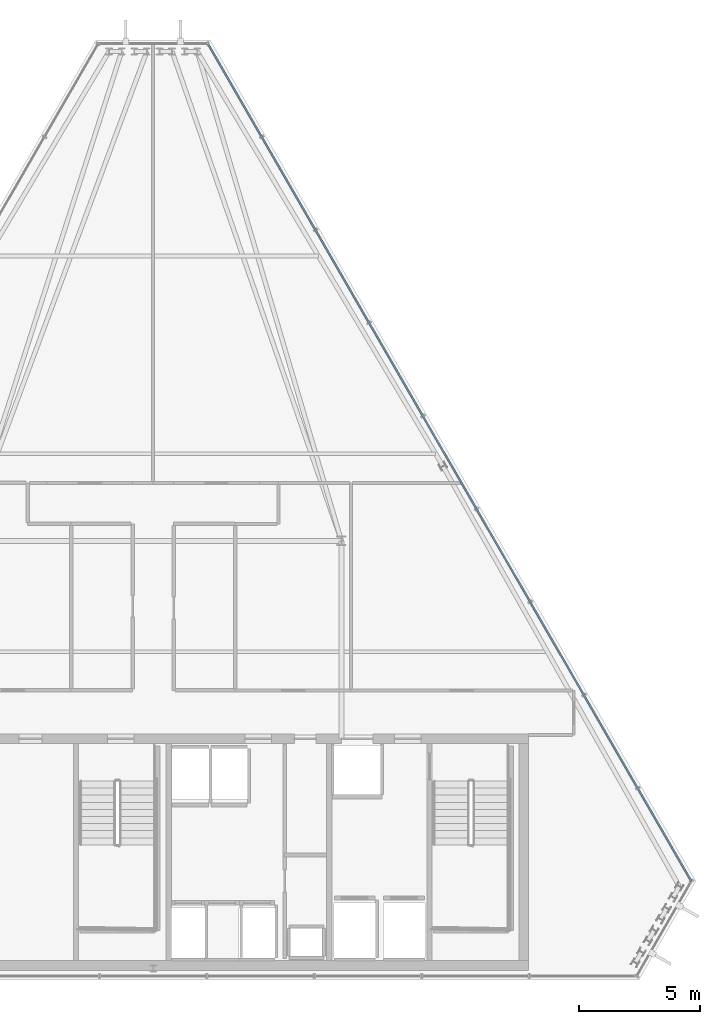
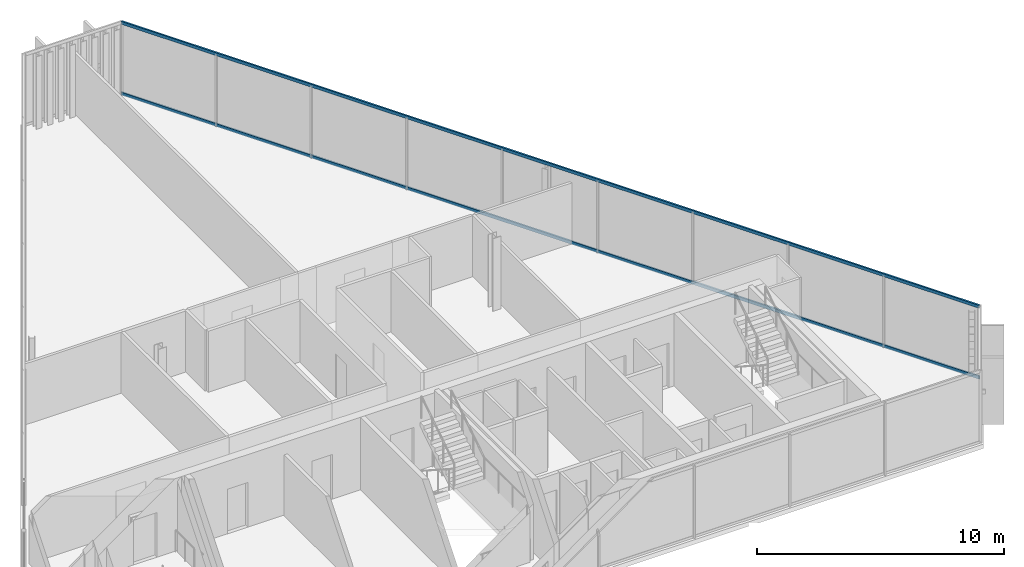
# One storey, part 23 of 32: 2 members, 1 element without a shape of its own.
"""IFC4 building model written with IfcOpenShell, lengths in metres."""

from ifc_helpers import new_model, si_unit, direction, frame, origin, origin_2d, place, context, subcontext, project, spatial, hollow_rectangle, extrude, material, layer, layer_set, material_profile, profile_set, type_object, element, aggregate, save


model = new_model("IFC4")

# Units and contexts
model_context = context("Model", 3, precision=1e-05, world=origin(), true_north=direction((0.0, 1.0)))
body_context = subcontext(model_context, "Body", "Model", "MODEL_VIEW")
ifc_project = project(units=[si_unit("LENGTHUNIT", "METRE"), si_unit("AREAUNIT", "SQUARE_METRE"), si_unit("VOLUMEUNIT", "CUBIC_METRE"), si_unit("PLANEANGLEUNIT", "RADIAN"), si_unit("MASSUNIT", "GRAM", prefix="KILO")], contexts=[model_context])

# Site, building, storey
site_placement = place(None, origin())
site = spatial("IfcSite", under=ifc_project, at=site_placement, CompositionType="ELEMENT")
building_placement = place(site_placement, origin())
building = spatial("IfcBuilding", under=site, at=building_placement, Name="Ndaravel Arena Tower", CompositionType="ELEMENT")
storey_placement = place(building_placement, frame((0.0, 0.0, 287.10009765625)))
storey = spatial("IfcBuildingStorey", under=building, at=storey_placement, Name="L70", CompositionType="ELEMENT", Elevation=287.10009765625)

# Curtain wall, members
ifc_material_1 = material(Name="Aluminium", Category="aluminium")
ifc_layer = layer(ifc_material_1, 0.179931640625)
ifc_layer_set = layer_set([ifc_layer], Name="Aluminium")
curtain_wall_type = type_object("IfcCurtainWallType", Name="CW-SYS-03", PredefinedType="NOTDEFINED", material=ifc_layer_set)
curtain_wall_placement = place(storey_placement, origin())
curtain_wall = element("IfcCurtainWall", 1, at=curtain_wall_placement, inside=storey, type_object=curtain_wall_type, Name="L70 Faceted Crystal Curtain Wall CW-L70-E03", PredefinedType="NOTDEFINED")
ifc_material_2 = material(Name="Aluminium", Category="aluminium")
ifc_material_profile = material_profile(ifc_material_2, hollow_rectangle(XDim=0.074951171875, YDim=0.14990234375, WallThickness=0.00390625, at=origin_2d()), Name="CW TRANSOM 75x150x4")
ifc_profile_set = profile_set([ifc_material_profile], Name="Aluminium")
member_type = type_object("IfcMemberType", Name="MEM-CW-TRN150", PredefinedType="USERDEFINED", material=ifc_profile_set)
member_1_placement = place(storey_placement, frame((64.307373046875, 9.095947265625, 0.039794921875), z_axis=(-0.499998114738, 0.866026492238, 0.0), x_axis=(-0.866026492238, -0.499998114738, 0.0)))
member_1 = element("IfcMember", 2, at=member_1_placement, type_object=member_type, Name="CW-L70-E03 Transom 01", ObjectType="TRANSOM", PredefinedType="USERDEFINED", context=body_context, shape_type="SweptSolid", body=[
    extrude(hollow_rectangle(XDim=0.074951171875, YDim=0.14990234375, WallThickness=0.00390625, at=origin_2d()), origin(), (0.0, 0.0, 1.0), 40.070068359375),
])
member_2_placement = place(storey_placement, frame((64.307373046875, 9.095947265625, 3.539794921875), z_axis=(-0.499998114738, 0.866026492238, 0.0), x_axis=(-0.866026492238, -0.499998114738, 0.0)))
member_2 = element("IfcMember", 3, at=member_2_placement, type_object=member_type, Name="CW-L70-E03 Transom 02", ObjectType="TRANSOM", PredefinedType="USERDEFINED", context=body_context, shape_type="SweptSolid", body=[
    extrude(hollow_rectangle(XDim=0.074951171875, YDim=0.14990234375, WallThickness=0.00390625, at=origin_2d()), origin(), (0.0, 0.0, 1.0), 40.070068359375),
])
aggregate(curtain_wall, [member_1, member_2])

save(model, "model.ifc")
